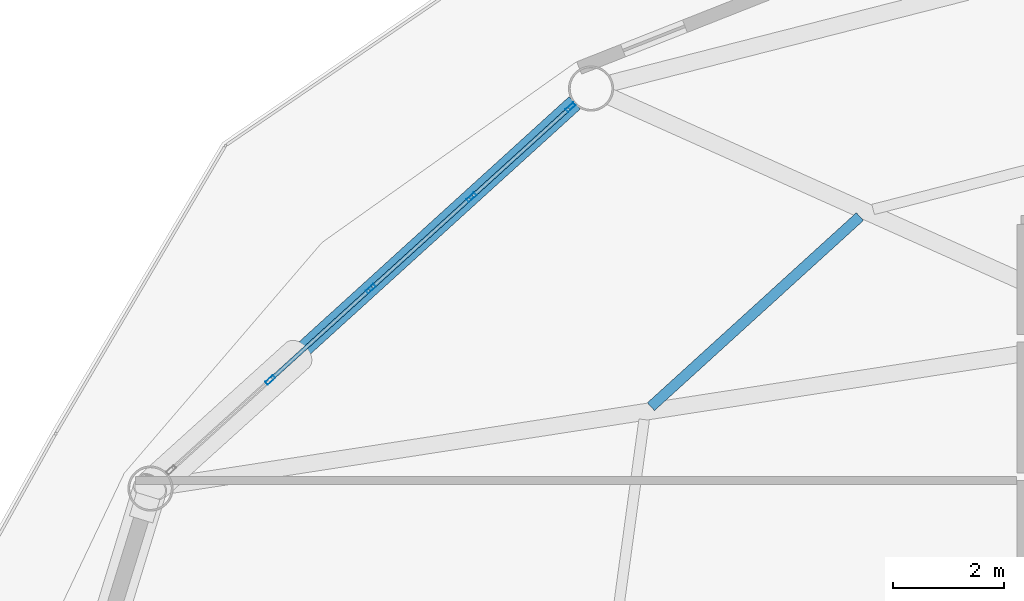
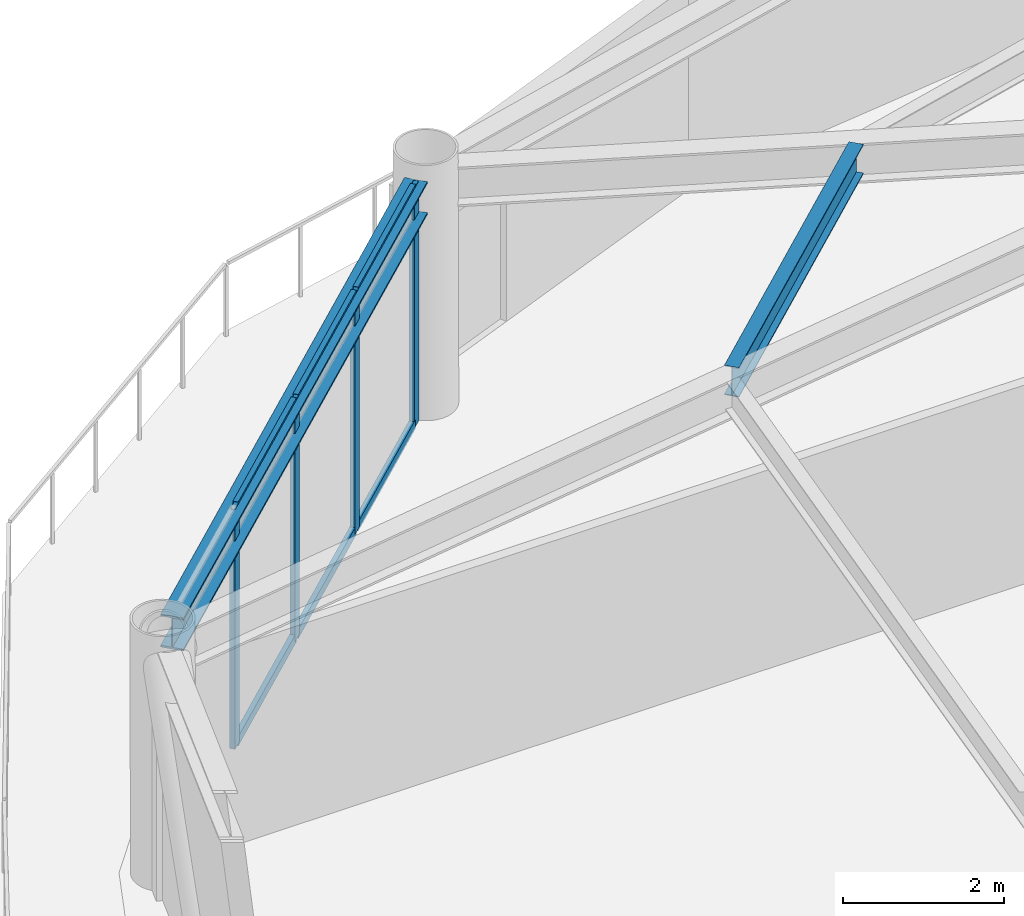
# One storey, part 15 of 23: 10 members, 2 beams, 1 element without a shape of its own.
"""IFC4 building model written with IfcOpenShell, lengths in metres."""

from ifc_helpers import new_model, si_unit, direction, frame, origin, origin_2d, place, context, subcontext, project, spatial, hollow_rectangle, i_section, extrude, material, layer, layer_set, material_profile, profile_set, type_object, element, aggregate, save


model = new_model("IFC4")

# Units and contexts
model_context = context("Model", 3, precision=1e-05, world=origin(), true_north=direction((0.0, 1.0)))
body_context = subcontext(model_context, "Body", "Model", "MODEL_VIEW")
ifc_project = project(units=[si_unit("LENGTHUNIT", "METRE"), si_unit("AREAUNIT", "SQUARE_METRE"), si_unit("VOLUMEUNIT", "CUBIC_METRE"), si_unit("PLANEANGLEUNIT", "RADIAN"), si_unit("MASSUNIT", "GRAM", prefix="KILO")], contexts=[model_context])

# Site, building, storey
site_placement = place(None, origin())
site = spatial("IfcSite", under=ifc_project, at=site_placement, CompositionType="ELEMENT")
building_placement = place(site_placement, origin())
building = spatial("IfcBuilding", under=site, at=building_placement, Name="Varnakorn Sky Granary", CompositionType="ELEMENT")
storey_placement = place(building_placement, frame((0.0, 0.0, 83.699951171875)))
storey = spatial("IfcBuildingStorey", under=building, at=storey_placement, Name="L20", CompositionType="ELEMENT", Elevation=83.699951171875)

# Beams
ifc_material_1 = material(Name="Steel S355JR", Category="steel")
ifc_material_profile_1 = material_profile(ifc_material_1, i_section(OverallWidth=0.18994140625, OverallDepth=0.449951171875, WebThickness=0.009521484375, FlangeThickness=0.0146484375, at=origin_2d()), Name="IPE 450")
ifc_profile_set_1 = profile_set([ifc_material_profile_1], Name="Steel S355JR")
beam_type_1 = type_object("IfcBeamType", Name="BM-SEC-Z2", PredefinedType="BEAM", material=ifc_profile_set_1)
beam_1_placement = place(storey_placement, frame((-7.50537109375, 14.758544921875, 3.4150390625), z_axis=(-0.739723165455, -0.672911315471, 0.0), x_axis=(0.672911315471, -0.739723165455, 0.0)))
element("IfcBeam", 1, at=beam_1_placement, inside=storey, type_object=beam_type_1, Name="Secondary Floor Chord Beam MSB05 L20", PredefinedType="BEAM", context=body_context, shape_type="SweptSolid", body=[
    extrude(i_section(OverallWidth=0.18994140625, OverallDepth=0.449951171875, WebThickness=0.009521484375, FlangeThickness=0.0146484375, at=origin_2d()), origin(), (0.0, 0.0, 1.0), 5.093994140625),
])
ifc_material_profile_2 = material_profile(ifc_material_1, i_section(OverallWidth=0.300048828125, OverallDepth=0.5, WebThickness=0.014404296875, FlangeThickness=0.028076171875, at=origin_2d()), Name="HE 500 B")
ifc_profile_set_2 = profile_set([ifc_material_profile_2], Name="Steel S355JR")
beam_type_2 = type_object("IfcBeamType", Name="BM-SPD-Z2", PredefinedType="SPANDREL", material=ifc_profile_set_2)
beam_2_placement = place(storey_placement, frame((-12.6474609375, 16.810546875, 3.39013671875), z_axis=(-0.740370602022, -0.67219890781, 0.0), x_axis=(0.67219890781, -0.740370602022, 0.0)))
element("IfcBeam", 2, at=beam_2_placement, inside=storey, type_object=beam_type_2, Name="Perimeter Spandrel Ring Beam RB05 L20", PredefinedType="SPANDREL", context=body_context, shape_type="SweptSolid", body=[
    extrude(i_section(OverallWidth=0.300048828125, OverallDepth=0.5, WebThickness=0.014404296875, FlangeThickness=0.028076171875, at=origin_2d()), origin(), (0.0, 0.0, 1.0), 9.952392578125),
])

# Curtain wall, members
ifc_material_2 = material(Name="Anodised Bronze Aluminium Alloy 6063-T6", Category="aluminium")
ifc_layer = layer(ifc_material_2, 0.18994140625, Name="Anodised Bronze Aluminium Alloy 6063-T6")
ifc_layer_set = layer_set([ifc_layer], Name="Anodised Bronze Aluminium Alloy 6063-T6")
curtain_wall_type = type_object("IfcCurtainWallType", Name="CW-FRM-1", PredefinedType="USERDEFINED", material=ifc_layer_set)
curtain_wall_placement = place(storey_placement, origin())
curtain_wall = element("IfcCurtainWall", 3, at=curtain_wall_placement, inside=storey, type_object=curtain_wall_type, Name="Unitised Curtain Wall CW3 CW-L20-B05", ObjectType="CURTAIN WALL", PredefinedType="USERDEFINED")
ifc_material_profile_3 = material_profile(ifc_material_2, hollow_rectangle(XDim=0.070068359375, YDim=0.18505859375, WallThickness=0.00390625, at=origin_2d()), Name="ALU MULL 70x185")
ifc_profile_set_3 = profile_set([ifc_material_profile_3], Name="Anodised Bronze Aluminium Alloy 6063-T6")
member_type_1 = type_object("IfcMemberType", Name="CW-FRM-1-MULL", PredefinedType="MULLION", material=ifc_profile_set_3)
member_1_placement = place(storey_placement, frame((-18.13818359375, 11.813720703125, 0.0), z_axis=(0.0, 0.0, 1.0), x_axis=(-0.672210876204, 0.740359735476, 0.0)))
member_1 = element("IfcMember", 4, at=member_1_placement, type_object=member_type_1, Name="CW3 mullion 2", PredefinedType="MULLION", context=body_context, shape_type="SweptSolid", body=[
    extrude(hollow_rectangle(XDim=0.070068359375, YDim=0.18505859375, WallThickness=0.00390625, at=origin_2d()), origin(), (0.0, 0.0, 1.0), 3.64013671875),
])
member_2_placement = place(storey_placement, frame((-16.32470703125, 13.460205078125, 0.0), z_axis=(0.0, 0.0, 1.0), x_axis=(-0.672210876204, 0.740359735476, 0.0)))
member_2 = element("IfcMember", 5, at=member_2_placement, type_object=member_type_1, Name="CW3 mullion 3", PredefinedType="MULLION", context=body_context, shape_type="SweptSolid", body=[
    extrude(hollow_rectangle(XDim=0.070068359375, YDim=0.18505859375, WallThickness=0.00390625, at=origin_2d()), origin(), (0.0, 0.0, 1.0), 3.64013671875),
])
member_3_placement = place(storey_placement, frame((-14.51123046875, 15.106689453125, 0.0), z_axis=(0.0, 0.0, 1.0), x_axis=(-0.672210876204, 0.740359735476, 0.0)))
member_3 = element("IfcMember", 6, at=member_3_placement, type_object=member_type_1, Name="CW3 mullion 4", PredefinedType="MULLION", context=body_context, shape_type="SweptSolid", body=[
    extrude(hollow_rectangle(XDim=0.070068359375, YDim=0.18505859375, WallThickness=0.00390625, at=origin_2d()), origin(), (0.0, 0.0, 1.0), 3.64013671875),
])
member_4_placement = place(storey_placement, frame((-12.723876953125, 16.729736328125, 0.0), z_axis=(0.0, 0.0, 1.0), x_axis=(-0.672210876204, 0.740359735476, 0.0)))
member_4 = element("IfcMember", 7, at=member_4_placement, type_object=member_type_1, Name="CW3 mullion 5", PredefinedType="MULLION", context=body_context, shape_type="SweptSolid", body=[
    extrude(hollow_rectangle(XDim=0.070068359375, YDim=0.18505859375, WallThickness=0.00390625, at=origin_2d()), origin(), (0.0, 0.0, 1.0), 3.64013671875),
])
ifc_material_profile_4 = material_profile(ifc_material_2, hollow_rectangle(XDim=0.070068359375, YDim=0.139892578125, WallThickness=0.00341796875, at=origin_2d()), Name="ALU TRAN 70x140")
ifc_profile_set_4 = profile_set([ifc_material_profile_4], Name="Anodised Bronze Aluminium Alloy 6063-T6")
member_type_2 = type_object("IfcMemberType", Name="CW-FRM-1-TRAN", PredefinedType="USERDEFINED", material=ifc_profile_set_4)
member_5_placement = place(storey_placement, frame((-18.1123046875, 11.837158203125, 0.03515625), z_axis=(0.740353171856, 0.672218105174, 0.0), x_axis=(-0.672218105174, 0.740353171856, 0.0)))
member_5 = element("IfcMember", 8, at=member_5_placement, type_object=member_type_2, Name="CW3 transom 2.1", ObjectType="TRANSOM", PredefinedType="USERDEFINED", context=body_context, shape_type="SweptSolid", body=[
    extrude(hollow_rectangle(XDim=0.070068359375, YDim=0.139892578125, WallThickness=0.00341796875, at=origin_2d()), origin(), (0.0, 0.0, 1.0), 2.379150390625),
])
member_6_placement = place(storey_placement, frame((-18.1123046875, 11.837158203125, 3.60498046875), z_axis=(0.740353171856, 0.672218105174, 0.0), x_axis=(-0.672218105174, 0.740353171856, 0.0)))
member_6 = element("IfcMember", 9, at=member_6_placement, type_object=member_type_2, Name="CW3 transom 2.2", ObjectType="TRANSOM", PredefinedType="USERDEFINED", context=body_context, shape_type="SweptSolid", body=[
    extrude(hollow_rectangle(XDim=0.070068359375, YDim=0.139892578125, WallThickness=0.00341796875, at=origin_2d()), origin(), (0.0, 0.0, 1.0), 2.379150390625),
])
member_7_placement = place(storey_placement, frame((-16.298828125, 13.483642578125, 0.03515625), z_axis=(0.740302104901, 0.67227434391, 0.0), x_axis=(-0.67227434391, 0.740302104901, 0.0)))
member_7 = element("IfcMember", 10, at=member_7_placement, type_object=member_type_2, Name="CW3 transom 3.1", ObjectType="TRANSOM", PredefinedType="USERDEFINED", context=body_context, shape_type="SweptSolid", body=[
    extrude(hollow_rectangle(XDim=0.070068359375, YDim=0.139892578125, WallThickness=0.00341796875, at=origin_2d()), origin(), (0.0, 0.0, 1.0), 2.37939453125),
])
member_8_placement = place(storey_placement, frame((-16.298828125, 13.483642578125, 3.60498046875), z_axis=(0.740302104901, 0.67227434391, 0.0), x_axis=(-0.67227434391, 0.740302104901, 0.0)))
member_8 = element("IfcMember", 11, at=member_8_placement, type_object=member_type_2, Name="CW3 transom 3.2", ObjectType="TRANSOM", PredefinedType="USERDEFINED", context=body_context, shape_type="SweptSolid", body=[
    extrude(hollow_rectangle(XDim=0.070068359375, YDim=0.139892578125, WallThickness=0.00341796875, at=origin_2d()), origin(), (0.0, 0.0, 1.0), 2.37939453125),
])
member_9_placement = place(storey_placement, frame((-14.4853515625, 15.130126953125, 0.03515625), z_axis=(0.740340485672, 0.672232076946, 0.0), x_axis=(-0.672232076946, 0.740340485672, 0.0)))
member_9 = element("IfcMember", 12, at=member_9_placement, type_object=member_type_2, Name="CW3 transom 4.1", ObjectType="TRANSOM", PredefinedType="USERDEFINED", context=body_context, shape_type="SweptSolid", body=[
    extrude(hollow_rectangle(XDim=0.070068359375, YDim=0.139892578125, WallThickness=0.00341796875, at=origin_2d()), origin(), (0.0, 0.0, 1.0), 2.34423828125),
])
member_10_placement = place(storey_placement, frame((-14.4853515625, 15.130126953125, 3.60498046875), z_axis=(0.740340485672, 0.672232076946, 0.0), x_axis=(-0.672232076946, 0.740340485672, 0.0)))
member_10 = element("IfcMember", 13, at=member_10_placement, type_object=member_type_2, Name="CW3 transom 4.2", ObjectType="TRANSOM", PredefinedType="USERDEFINED", context=body_context, shape_type="SweptSolid", body=[
    extrude(hollow_rectangle(XDim=0.070068359375, YDim=0.139892578125, WallThickness=0.00341796875, at=origin_2d()), origin(), (0.0, 0.0, 1.0), 2.34423828125),
])
aggregate(curtain_wall, [member_1, member_2, member_3, member_4, member_5, member_6, member_7, member_8, member_9, member_10])

save(model, "model.ifc")
